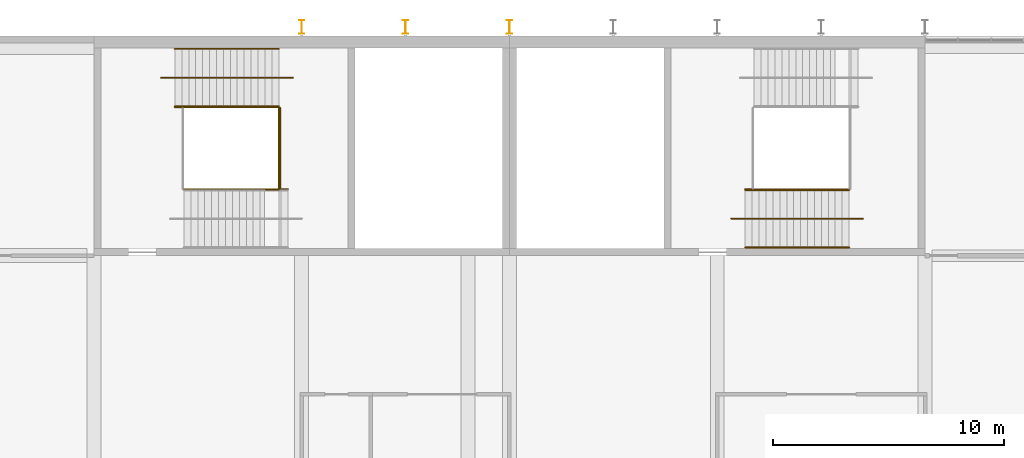
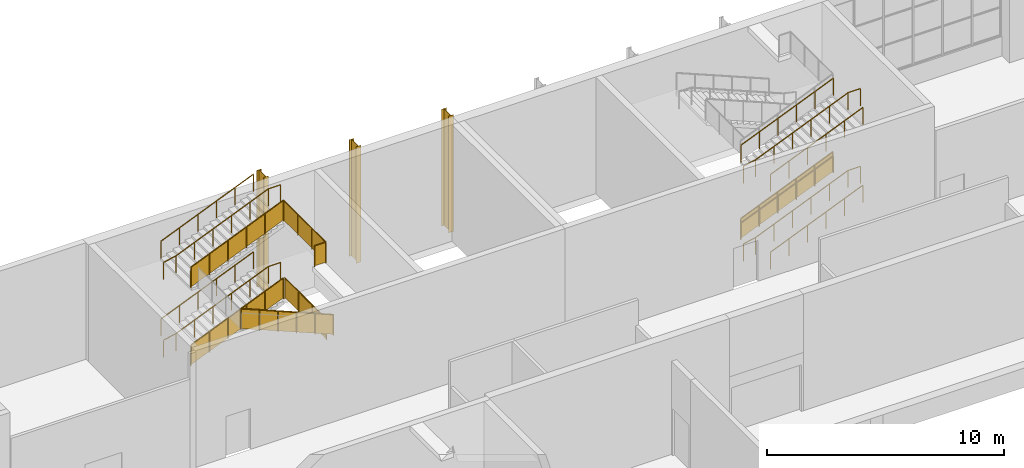
# One storey, part 85 of 89: 18 railings, 3 shading devices.
"""IFC4 building model written with IfcOpenShell, lengths in metres."""

from ifc_helpers import new_model, si_unit, direction, frame, origin, origin_2d, place, context, subcontext, project, spatial, polyline, circle, i_section, outline, extrude, material, material_profile, profile_set, type_object, element, save


model = new_model("IFC4")

# Units and contexts
model_context = context("Model", 3, precision=1e-05, world=origin(), true_north=direction((0.0, 1.0)))
body_context = subcontext(model_context, "Body", "Model", "MODEL_VIEW")
ifc_project = project(units=[si_unit("LENGTHUNIT", "METRE"), si_unit("AREAUNIT", "SQUARE_METRE"), si_unit("VOLUMEUNIT", "CUBIC_METRE"), si_unit("PLANEANGLEUNIT", "RADIAN"), si_unit("MASSUNIT", "GRAM", prefix="KILO")], contexts=[model_context])

# Site, building, storey
site_placement = place(None, origin())
site = spatial("IfcSite", under=ifc_project, at=site_placement, CompositionType="ELEMENT")
building_placement = place(site_placement, origin())
building = spatial("IfcBuilding", under=site, at=building_placement, Name="Silverbay Arena", CompositionType="ELEMENT")
storey_placement = place(building_placement, frame((0.0, 0.0, 22.0)))
storey = spatial("IfcBuildingStorey", under=building, at=storey_placement, Name="L03", CompositionType="ELEMENT", Elevation=22.0)

# Railings
ifc_material_1 = material(Name="Stainless steel", Category="steel")
railing_type_1 = type_object("IfcRailingType", Name="Stair guard 1100", PredefinedType="GUARDRAIL", material=ifc_material_1)
railing_1_placement = place(storey_placement, frame((84.510009765625, 141.425048828125, 0.125)))
element("IfcRailing", 1, at=railing_1_placement, inside=storey, type_object=railing_type_1, Name="Stair ST-N1 L03 to L04 flight 1 guard left", PredefinedType="GUARDRAIL", context=body_context, shape_type="SweptSolid", body=[
    extrude(circle(Radius=0.02392578125, at=origin_2d()), frame((0.0, 0.0, 1.076171875), z_axis=(0.923076923077, 0.0, 0.384615384615), x_axis=(0.0, 1.0, 0.0)), (0.0, 0.0, 1.0), 4.875),
    extrude(outline(polyline([(-0.008056640625, 0.046630859375), (0.907958984375, 0.42822265625), (0.907958984375, 1.431396484375), (-0.008056640625, 1.049560546875), (-0.008056640625, 0.046630859375)])), frame((0.0, 0.0029296875, 0.0), z_axis=(0.0, -1.0, 0.0), x_axis=(1.0, 0.0, 0.0)), (0.0, 0.0, 1.0), 0.006103515625),
    extrude(outline(polyline([(-0.008056640625, 0.421630859375), (0.907958984375, 0.80322265625), (0.907958984375, 1.806396484375), (-0.008056640625, 1.424560546875), (-0.008056640625, 0.421630859375)])), frame((0.89990234375, 0.0029296875, 0.0), z_axis=(0.0, -1.0, 0.0), x_axis=(1.0, 0.0, 0.0)), (0.0, 0.0, 1.0), 0.006103515625),
    extrude(outline(polyline([(-0.008056640625, 0.796630859375), (0.907958984375, 1.17822265625), (0.907958984375, 2.181396484375), (-0.008056640625, 1.799560546875), (-0.008056640625, 0.796630859375)])), frame((1.800048828125, 0.0029296875, 0.0), z_axis=(0.0, -1.0, 0.0), x_axis=(1.0, 0.0, 0.0)), (0.0, 0.0, 1.0), 0.006103515625),
    extrude(outline(polyline([(-0.008056640625, 1.171630859375), (0.907958984375, 1.55322265625), (0.907958984375, 2.556396484375), (-0.008056640625, 2.174560546875), (-0.008056640625, 1.171630859375)])), frame((2.699951171875, 0.0029296875, 0.0), z_axis=(0.0, -1.0, 0.0), x_axis=(1.0, 0.0, 0.0)), (0.0, 0.0, 1.0), 0.006103515625),
    extrude(outline(polyline([(-0.008056640625, 1.546630859375), (0.907958984375, 1.92822265625), (0.907958984375, 2.931396484375), (-0.008056640625, 2.549560546875), (-0.008056640625, 1.546630859375)])), frame((3.60009765625, 0.0029296875, 0.0), z_axis=(0.0, -1.0, 0.0), x_axis=(1.0, 0.0, 0.0)), (0.0, 0.0, 1.0), 0.006103515625),
    extrude(circle(Radius=0.02099609375, at=origin_2d()), origin(), (0.0, 0.0, 1.0), 1.052001953125),
    extrude(circle(Radius=0.02099609375, at=origin_2d()), frame((0.89990234375, 0.0, 0.375)), (0.0, 0.0, 1.0), 1.052001953125),
    extrude(circle(Radius=0.02099609375, at=origin_2d()), frame((1.800048828125, 0.0, 0.75)), (0.0, 0.0, 1.0), 1.052001953125),
    extrude(circle(Radius=0.02099609375, at=origin_2d()), frame((2.699951171875, 0.0, 1.125)), (0.0, 0.0, 1.0), 1.052001953125),
    extrude(circle(Radius=0.02099609375, at=origin_2d()), frame((3.60009765625, 0.0, 1.5)), (0.0, 0.0, 1.0), 1.052001953125),
    extrude(circle(Radius=0.02099609375, at=origin_2d()), frame((4.5, 0.0, 1.875)), (0.0, 0.0, 1.0), 1.052001953125),
])
railing_2_placement = place(storey_placement, frame((89.39990234375, 137.875, 2.125)))
element("IfcRailing", 2, at=railing_2_placement, inside=storey, type_object=railing_type_1, Name="Stair ST-N1 L03 to L04 flight 2 guard right", PredefinedType="GUARDRAIL", context=body_context, shape_type="SweptSolid", body=[
    extrude(circle(Radius=0.02392578125, at=origin_2d()), frame((0.0, 0.0, 1.076171875), z_axis=(-0.923076923077, 0.0, 0.384615384615), x_axis=(0.0, -1.0, 0.0)), (0.0, 0.0, 1.0), 4.875),
    extrude(outline(polyline([(-0.008056640625, 0.046630859375), (0.907958984375, 0.42822265625), (0.907958984375, 1.431396484375), (-0.008056640625, 1.049560546875), (-0.008056640625, 0.046630859375)])), frame((0.0, -0.0029296875, 0.0), z_axis=(0.0, 1.0, 0.0), x_axis=(-1.0, 0.0, 0.0)), (0.0, 0.0, 1.0), 0.006103515625),
    extrude(outline(polyline([(-0.008056640625, 0.421630859375), (0.907958984375, 0.80322265625), (0.907958984375, 1.806396484375), (-0.008056640625, 1.424560546875), (-0.008056640625, 0.421630859375)])), frame((-0.89990234375, -0.0029296875, 0.0), z_axis=(0.0, 1.0, 0.0), x_axis=(-1.0, 0.0, 0.0)), (0.0, 0.0, 1.0), 0.006103515625),
    extrude(outline(polyline([(-0.008056640625, 0.796630859375), (0.907958984375, 1.17822265625), (0.907958984375, 2.181396484375), (-0.008056640625, 1.799560546875), (-0.008056640625, 0.796630859375)])), frame((-1.800048828125, -0.0029296875, 0.0), z_axis=(0.0, 1.0, 0.0), x_axis=(-1.0, 0.0, 0.0)), (0.0, 0.0, 1.0), 0.006103515625),
    extrude(outline(polyline([(-0.008056640625, 1.171630859375), (0.907958984375, 1.55322265625), (0.907958984375, 2.556396484375), (-0.008056640625, 2.174560546875), (-0.008056640625, 1.171630859375)])), frame((-2.699951171875, -0.0029296875, 0.0), z_axis=(0.0, 1.0, 0.0), x_axis=(-1.0, 0.0, 0.0)), (0.0, 0.0, 1.0), 0.006103515625),
    extrude(outline(polyline([(-0.008056640625, 1.546630859375), (0.907958984375, 1.92822265625), (0.907958984375, 2.931396484375), (-0.008056640625, 2.549560546875), (-0.008056640625, 1.546630859375)])), frame((-3.60009765625, -0.0029296875, 0.0), z_axis=(0.0, 1.0, 0.0), x_axis=(-1.0, 0.0, 0.0)), (0.0, 0.0, 1.0), 0.006103515625),
    extrude(circle(Radius=0.02099609375, at=origin_2d()), origin(), (0.0, 0.0, 1.0), 1.052001953125),
    extrude(circle(Radius=0.02099609375, at=origin_2d()), frame((-0.89990234375, 0.0, 0.375)), (0.0, 0.0, 1.0), 1.052001953125),
    extrude(circle(Radius=0.02099609375, at=origin_2d()), frame((-1.800048828125, 0.0, 0.75)), (0.0, 0.0, 1.0), 1.052001953125),
    extrude(circle(Radius=0.02099609375, at=origin_2d()), frame((-2.699951171875, 0.0, 1.125)), (0.0, 0.0, 1.0), 1.052001953125),
    extrude(circle(Radius=0.02099609375, at=origin_2d()), frame((-3.60009765625, 0.0, 1.5)), (0.0, 0.0, 1.0), 1.052001953125),
    extrude(circle(Radius=0.02099609375, at=origin_2d()), frame((-4.5, 0.0, 1.875)), (0.0, 0.0, 1.0), 1.052001953125),
])
railing_3_placement = place(storey_placement, frame((84.510009765625, 141.425048828125, 4.125)))
element("IfcRailing", 3, at=railing_3_placement, inside=storey, type_object=railing_type_1, Name="Stair ST-N1 L03 to L04 flight 3 guard left", PredefinedType="GUARDRAIL", context=body_context, shape_type="SweptSolid", body=[
    extrude(circle(Radius=0.02392578125, at=origin_2d()), frame((0.0, 0.0, 1.076171875), z_axis=(0.923076923077, 0.0, 0.384615384615), x_axis=(0.0, 1.0, 0.0)), (0.0, 0.0, 1.0), 4.875),
    extrude(outline(polyline([(-0.008056640625, 0.046630859375), (0.907958984375, 0.42822265625), (0.907958984375, 1.431396484375), (-0.008056640625, 1.049560546875), (-0.008056640625, 0.046630859375)])), frame((0.0, 0.0029296875, 0.0), z_axis=(0.0, -1.0, 0.0), x_axis=(1.0, 0.0, 0.0)), (0.0, 0.0, 1.0), 0.006103515625),
    extrude(outline(polyline([(-0.008056640625, 0.421630859375), (0.907958984375, 0.80322265625), (0.907958984375, 1.806396484375), (-0.008056640625, 1.424560546875), (-0.008056640625, 0.421630859375)])), frame((0.89990234375, 0.0029296875, 0.0), z_axis=(0.0, -1.0, 0.0), x_axis=(1.0, 0.0, 0.0)), (0.0, 0.0, 1.0), 0.006103515625),
    extrude(outline(polyline([(-0.008056640625, 0.796630859375), (0.907958984375, 1.17822265625), (0.907958984375, 2.181396484375), (-0.008056640625, 1.799560546875), (-0.008056640625, 0.796630859375)])), frame((1.800048828125, 0.0029296875, 0.0), z_axis=(0.0, -1.0, 0.0), x_axis=(1.0, 0.0, 0.0)), (0.0, 0.0, 1.0), 0.006103515625),
    extrude(outline(polyline([(-0.008056640625, 1.171630859375), (0.907958984375, 1.55322265625), (0.907958984375, 2.556396484375), (-0.008056640625, 2.174560546875), (-0.008056640625, 1.171630859375)])), frame((2.699951171875, 0.0029296875, 0.0), z_axis=(0.0, -1.0, 0.0), x_axis=(1.0, 0.0, 0.0)), (0.0, 0.0, 1.0), 0.006103515625),
    extrude(outline(polyline([(-0.008056640625, 1.546630859375), (0.907958984375, 1.92822265625), (0.907958984375, 2.931396484375), (-0.008056640625, 2.549560546875), (-0.008056640625, 1.546630859375)])), frame((3.60009765625, 0.0029296875, 0.0), z_axis=(0.0, -1.0, 0.0), x_axis=(1.0, 0.0, 0.0)), (0.0, 0.0, 1.0), 0.006103515625),
    extrude(circle(Radius=0.02099609375, at=origin_2d()), origin(), (0.0, 0.0, 1.0), 1.052001953125),
    extrude(circle(Radius=0.02099609375, at=origin_2d()), frame((0.89990234375, 0.0, 0.375)), (0.0, 0.0, 1.0), 1.052001953125),
    extrude(circle(Radius=0.02099609375, at=origin_2d()), frame((1.800048828125, 0.0, 0.75)), (0.0, 0.0, 1.0), 1.052001953125),
    extrude(circle(Radius=0.02099609375, at=origin_2d()), frame((2.699951171875, 0.0, 1.125)), (0.0, 0.0, 1.0), 1.052001953125),
    extrude(circle(Radius=0.02099609375, at=origin_2d()), frame((3.60009765625, 0.0, 1.5)), (0.0, 0.0, 1.0), 1.052001953125),
    extrude(circle(Radius=0.02099609375, at=origin_2d()), frame((4.5, 0.0, 1.875)), (0.0, 0.0, 1.0), 1.052001953125),
])
railing_4_placement = place(storey_placement, frame((89.06005859375, 137.89990234375, 2.0)))
element("IfcRailing", 4, at=railing_4_placement, inside=storey, type_object=railing_type_1, Name="Stair ST-N1 L03 to L04 landing 1 guard", PredefinedType="GUARDRAIL", context=body_context, shape_type="SweptSolid", body=[
    extrude(circle(Radius=0.02392578125, at=origin_2d()), frame((0.0, 0.0, 1.076171875), z_axis=(0.0, 1.0, 0.0), x_axis=(-1.0, 0.0, 0.0)), (0.0, 0.0, 1.0), 3.5),
    extrude(outline(polyline([(-0.008056640625, 0.050048828125), (1.174560546875, 0.050048828125), (1.174560546875, 1.052978515625), (-0.008056640625, 1.052978515625), (-0.008056640625, 0.050048828125)])), frame((-0.0029296875, 0.0, 0.0), z_axis=(1.0, 0.0, 0.0), x_axis=(0.0, 1.0, 0.0)), (0.0, 0.0, 1.0), 0.006103515625),
    extrude(outline(polyline([(-0.008056640625, 0.050048828125), (1.174560546875, 0.050048828125), (1.174560546875, 1.052978515625), (-0.008056640625, 1.052978515625), (-0.008056640625, 0.050048828125)])), frame((-0.0029296875, 1.166748046875, 0.0), z_axis=(1.0, 0.0, 0.0), x_axis=(0.0, 1.0, 0.0)), (0.0, 0.0, 1.0), 0.006103515625),
    extrude(outline(polyline([(-0.008056640625, 0.050048828125), (1.174560546875, 0.050048828125), (1.174560546875, 1.052978515625), (-0.008056640625, 1.052978515625), (-0.008056640625, 0.050048828125)])), frame((-0.0029296875, 2.333251953125, 0.0), z_axis=(1.0, 0.0, 0.0), x_axis=(0.0, 1.0, 0.0)), (0.0, 0.0, 1.0), 0.006103515625),
    extrude(circle(Radius=0.02099609375, at=origin_2d()), origin(), (0.0, 0.0, 1.0), 1.052001953125),
    extrude(circle(Radius=0.02099609375, at=origin_2d()), frame((0.0, 1.166748046875, 0.0)), (0.0, 0.0, 1.0), 1.052001953125),
    extrude(circle(Radius=0.02099609375, at=origin_2d()), frame((0.0, 2.333251953125, 0.0)), (0.0, 0.0, 1.0), 1.052001953125),
    extrude(circle(Radius=0.02099609375, at=origin_2d()), frame((0.0, 3.5, 0.0)), (0.0, 0.0, 1.0), 1.052001953125),
])
railing_5_placement = place(storey_placement, frame((88.449951171875, 137.85009765625, 6.0)))
element("IfcRailing", 5, at=railing_5_placement, inside=storey, type_object=railing_type_1, Name="Stair ST-N1 L03 to L04 landing 3 guard", PredefinedType="GUARDRAIL", context=body_context, shape_type="SweptSolid", body=[
    extrude(circle(Radius=0.02392578125, at=origin_2d()), frame((0.0, 0.0, 1.076171875), z_axis=(1.0, 0.0, 0.0), x_axis=(0.0, 1.0, 0.0)), (0.0, 0.0, 1.0), 0.56005859375),
    extrude(outline(polyline([(-0.008056640625, 0.050048828125), (0.568115234375, 0.050048828125), (0.568115234375, 1.052978515625), (-0.008056640625, 1.052978515625), (-0.008056640625, 0.050048828125)])), frame((0.0, 0.0029296875, 0.0), z_axis=(0.0, -1.0, 0.0), x_axis=(1.0, 0.0, 0.0)), (0.0, 0.0, 1.0), 0.006103515625),
    extrude(circle(Radius=0.02392578125, at=origin_2d()), frame((0.56005859375, 0.0, 1.076171875), z_axis=(0.0, 1.0, 0.0), x_axis=(-1.0, 0.0, 0.0)), (0.0, 0.0, 1.0), 3.5498046875),
    extrude(outline(polyline([(-0.008056640625, 0.050048828125), (1.191162109375, 0.050048828125), (1.191162109375, 1.052978515625), (-0.008056640625, 1.052978515625), (-0.008056640625, 0.050048828125)])), frame((0.55712890625, 0.0, 0.0), z_axis=(1.0, 0.0, 0.0), x_axis=(0.0, 1.0, 0.0)), (0.0, 0.0, 1.0), 0.006103515625),
    extrude(outline(polyline([(-0.008056640625, 0.050048828125), (1.191162109375, 0.050048828125), (1.191162109375, 1.052978515625), (-0.008056640625, 1.052978515625), (-0.008056640625, 0.050048828125)])), frame((0.55712890625, 1.183349609375, 0.0), z_axis=(1.0, 0.0, 0.0), x_axis=(0.0, 1.0, 0.0)), (0.0, 0.0, 1.0), 0.006103515625),
    extrude(outline(polyline([(-0.008056640625, 0.050048828125), (1.191162109375, 0.050048828125), (1.191162109375, 1.052978515625), (-0.008056640625, 1.052978515625), (-0.008056640625, 0.050048828125)])), frame((0.55712890625, 2.366455078125, 0.0), z_axis=(1.0, 0.0, 0.0), x_axis=(0.0, 1.0, 0.0)), (0.0, 0.0, 1.0), 0.006103515625),
    extrude(circle(Radius=0.02099609375, at=origin_2d()), origin(), (0.0, 0.0, 1.0), 1.052001953125),
    extrude(circle(Radius=0.02099609375, at=origin_2d()), frame((0.56005859375, 0.0, 0.0)), (0.0, 0.0, 1.0), 1.052001953125),
    extrude(circle(Radius=0.02099609375, at=origin_2d()), frame((0.56005859375, 1.183349609375, 0.0)), (0.0, 0.0, 1.0), 1.052001953125),
    extrude(circle(Radius=0.02099609375, at=origin_2d()), frame((0.56005859375, 2.366455078125, 0.0)), (0.0, 0.0, 1.0), 1.052001953125),
    extrude(circle(Radius=0.02099609375, at=origin_2d()), frame((0.56005859375, 3.5498046875, 0.0)), (0.0, 0.0, 1.0), 1.052001953125),
])
railing_6_placement = place(storey_placement, frame((109.2099609375, 137.875, 0.125)))
element("IfcRailing", 6, at=railing_6_placement, inside=storey, type_object=railing_type_1, Name="Stair ST-N2 L03 to L04 flight 1 guard right", PredefinedType="GUARDRAIL", context=body_context, shape_type="SweptSolid", body=[
    extrude(circle(Radius=0.02392578125, at=origin_2d()), frame((0.0, 0.0, 1.076171875), z_axis=(0.923076923077, 0.0, 0.384615384615), x_axis=(0.0, 1.0, 0.0)), (0.0, 0.0, 1.0), 4.875),
    extrude(outline(polyline([(-0.008056640625, 0.046630859375), (0.907958984375, 0.42822265625), (0.907958984375, 1.431396484375), (-0.008056640625, 1.049560546875), (-0.008056640625, 0.046630859375)])), frame((0.0, 0.0029296875, 0.0), z_axis=(0.0, -1.0, 0.0), x_axis=(1.0, 0.0, 0.0)), (0.0, 0.0, 1.0), 0.006103515625),
    extrude(outline(polyline([(-0.008056640625, 0.421630859375), (0.907958984375, 0.80322265625), (0.907958984375, 1.806396484375), (-0.008056640625, 1.424560546875), (-0.008056640625, 0.421630859375)])), frame((0.89990234375, 0.0029296875, 0.0), z_axis=(0.0, -1.0, 0.0), x_axis=(1.0, 0.0, 0.0)), (0.0, 0.0, 1.0), 0.006103515625),
    extrude(outline(polyline([(-0.008056640625, 0.796630859375), (0.907958984375, 1.17822265625), (0.907958984375, 2.181396484375), (-0.008056640625, 1.799560546875), (-0.008056640625, 0.796630859375)])), frame((1.800048828125, 0.0029296875, 0.0), z_axis=(0.0, -1.0, 0.0), x_axis=(1.0, 0.0, 0.0)), (0.0, 0.0, 1.0), 0.006103515625),
    extrude(outline(polyline([(-0.008056640625, 1.171630859375), (0.907958984375, 1.55322265625), (0.907958984375, 2.556396484375), (-0.008056640625, 2.174560546875), (-0.008056640625, 1.171630859375)])), frame((2.699951171875, 0.0029296875, 0.0), z_axis=(0.0, -1.0, 0.0), x_axis=(1.0, 0.0, 0.0)), (0.0, 0.0, 1.0), 0.006103515625),
    extrude(outline(polyline([(-0.008056640625, 1.546630859375), (0.907958984375, 1.92822265625), (0.907958984375, 2.931396484375), (-0.008056640625, 2.549560546875), (-0.008056640625, 1.546630859375)])), frame((3.60009765625, 0.0029296875, 0.0), z_axis=(0.0, -1.0, 0.0), x_axis=(1.0, 0.0, 0.0)), (0.0, 0.0, 1.0), 0.006103515625),
    extrude(circle(Radius=0.02099609375, at=origin_2d()), origin(), (0.0, 0.0, 1.0), 1.052001953125),
    extrude(circle(Radius=0.02099609375, at=origin_2d()), frame((0.89990234375, 0.0, 0.375)), (0.0, 0.0, 1.0), 1.052001953125),
    extrude(circle(Radius=0.02099609375, at=origin_2d()), frame((1.800048828125, 0.0, 0.75)), (0.0, 0.0, 1.0), 1.052001953125),
    extrude(circle(Radius=0.02099609375, at=origin_2d()), frame((2.699951171875, 0.0, 1.125)), (0.0, 0.0, 1.0), 1.052001953125),
    extrude(circle(Radius=0.02099609375, at=origin_2d()), frame((3.60009765625, 0.0, 1.5)), (0.0, 0.0, 1.0), 1.052001953125),
    extrude(circle(Radius=0.02099609375, at=origin_2d()), frame((4.5, 0.0, 1.875)), (0.0, 0.0, 1.0), 1.052001953125),
])
ifc_material_2 = material(Name="Stainless steel", Category="steel")
railing_type_2 = type_object("IfcRailingType", Name="Stair handrail 900", PredefinedType="HANDRAIL", material=ifc_material_2)
for number, where, name in (
    (7, (84.510009765625, 141.464111328125, 0.125), "Stair ST-N1 L03 to L04 flight 1 handrail left"),
    (8, (84.510009765625, 143.949951171875, 0.125), "Stair ST-N1 L03 to L04 flight 1 handrail right"),
):
    element("IfcRailing", number, at=place(storey_placement, frame(where)), inside=storey, type_object=railing_type_2, Name=name, PredefinedType="HANDRAIL", context=body_context, shape_type="SweptSolid", body=[
        extrude(circle(Radius=0.02392578125, at=origin_2d()), frame((0.0, 0.0, 0.8759765625), z_axis=(0.923076923077, 0.0, 0.384615384615), x_axis=(0.0, 1.0, 0.0)), (0.0, 0.0, 1.0), 4.875),
        extrude(circle(Radius=0.02099609375, at=origin_2d()), origin(), (0.0, 0.0, 1.0), 0.851806640625),
        extrude(circle(Radius=0.02099609375, at=origin_2d()), frame((0.89990234375, 0.0, 0.375)), (0.0, 0.0, 1.0), 0.851806640625),
        extrude(circle(Radius=0.02099609375, at=origin_2d()), frame((1.800048828125, 0.0, 0.75)), (0.0, 0.0, 1.0), 0.851806640625),
        extrude(circle(Radius=0.02099609375, at=origin_2d()), frame((2.699951171875, 0.0, 1.125)), (0.0, 0.0, 1.0), 0.851806640625),
        extrude(circle(Radius=0.02099609375, at=origin_2d()), frame((3.60009765625, 0.0, 1.5)), (0.0, 0.0, 1.0), 0.851806640625),
        extrude(circle(Radius=0.02099609375, at=origin_2d()), frame((4.5, 0.0, 1.875)), (0.0, 0.0, 1.0), 0.851806640625),
    ])
railing_7_placement = place(storey_placement, frame((83.909912109375, 142.699951171875, 0.0)))
element("IfcRailing", 9, at=railing_7_placement, inside=storey, type_object=railing_type_2, Name="Stair ST-N1 L03 to L04 flight 1 central handrail", PredefinedType="HANDRAIL", context=body_context, shape_type="SweptSolid", body=[
    extrude(circle(Radius=0.02392578125, at=origin_2d()), frame((0.0, 0.0, 0.8759765625), z_axis=(0.978987046276, 0.0, 0.203922444139), x_axis=(0.0, 1.0, 0.0)), (0.0, 0.0, 1.0), 0.613037109375),
    extrude(circle(Radius=0.02392578125, at=origin_2d()), frame((0.60009765625, 0.0, 1.0009765625), z_axis=(0.923076923077, 0.0, 0.384615384615), x_axis=(0.0, 1.0, 0.0)), (0.0, 0.0, 1.0), 4.875),
    extrude(circle(Radius=0.02392578125, at=origin_2d()), frame((5.10009765625, 0.0, 2.8759765625), z_axis=(1.0, 0.0, 0.0), x_axis=(0.0, 1.0, 0.0)), (0.0, 0.0, 1.0), 0.60009765625),
    extrude(circle(Radius=0.02099609375, at=origin_2d()), origin(), (0.0, 0.0, 1.0), 0.851806640625),
    extrude(circle(Radius=0.02099609375, at=origin_2d()), frame((0.60009765625, 0.0, 0.125)), (0.0, 0.0, 1.0), 0.851806640625),
    extrude(circle(Radius=0.02099609375, at=origin_2d()), frame((1.5, 0.0, 0.5)), (0.0, 0.0, 1.0), 0.851806640625),
    extrude(circle(Radius=0.02099609375, at=origin_2d()), frame((2.400146484375, 0.0, 0.875)), (0.0, 0.0, 1.0), 0.851806640625),
    extrude(circle(Radius=0.02099609375, at=origin_2d()), frame((3.300048828125, 0.0, 1.25)), (0.0, 0.0, 1.0), 0.851806640625),
    extrude(circle(Radius=0.02099609375, at=origin_2d()), frame((4.2001953125, 0.0, 1.625)), (0.0, 0.0, 1.0), 0.851806640625),
    extrude(circle(Radius=0.02099609375, at=origin_2d()), frame((5.10009765625, 0.0, 2.0)), (0.0, 0.0, 1.0), 0.851806640625),
    extrude(circle(Radius=0.02099609375, at=origin_2d()), frame((5.7001953125, 0.0, 2.0)), (0.0, 0.0, 1.0), 0.851806640625),
])
for number, where, name in (
    (10, (84.510009765625, 141.464111328125, 4.125), "Stair ST-N1 L03 to L04 flight 3 handrail left"),
    (11, (84.510009765625, 143.949951171875, 4.125), "Stair ST-N1 L03 to L04 flight 3 handrail right"),
):
    element("IfcRailing", number, at=place(storey_placement, frame(where)), inside=storey, type_object=railing_type_2, Name=name, PredefinedType="HANDRAIL", context=body_context, shape_type="SweptSolid", body=[
        extrude(circle(Radius=0.02392578125, at=origin_2d()), frame((0.0, 0.0, 0.8759765625), z_axis=(0.923076923077, 0.0, 0.384615384615), x_axis=(0.0, 1.0, 0.0)), (0.0, 0.0, 1.0), 4.875),
        extrude(circle(Radius=0.02099609375, at=origin_2d()), origin(), (0.0, 0.0, 1.0), 0.851806640625),
        extrude(circle(Radius=0.02099609375, at=origin_2d()), frame((0.89990234375, 0.0, 0.375)), (0.0, 0.0, 1.0), 0.851806640625),
        extrude(circle(Radius=0.02099609375, at=origin_2d()), frame((1.800048828125, 0.0, 0.75)), (0.0, 0.0, 1.0), 0.851806640625),
        extrude(circle(Radius=0.02099609375, at=origin_2d()), frame((2.699951171875, 0.0, 1.125)), (0.0, 0.0, 1.0), 0.851806640625),
        extrude(circle(Radius=0.02099609375, at=origin_2d()), frame((3.60009765625, 0.0, 1.5)), (0.0, 0.0, 1.0), 0.851806640625),
        extrude(circle(Radius=0.02099609375, at=origin_2d()), frame((4.5, 0.0, 1.875)), (0.0, 0.0, 1.0), 0.851806640625),
    ])
railing_8_placement = place(storey_placement, frame((83.909912109375, 142.699951171875, 4.0)))
element("IfcRailing", 12, at=railing_8_placement, inside=storey, type_object=railing_type_2, Name="Stair ST-N1 L03 to L04 flight 3 central handrail", PredefinedType="HANDRAIL", context=body_context, shape_type="SweptSolid", body=[
    extrude(circle(Radius=0.02392578125, at=origin_2d()), frame((0.0, 0.0, 0.8759765625), z_axis=(0.978987046276, 0.0, 0.203922444139), x_axis=(0.0, 1.0, 0.0)), (0.0, 0.0, 1.0), 0.613037109375),
    extrude(circle(Radius=0.02392578125, at=origin_2d()), frame((0.60009765625, 0.0, 1.0009765625), z_axis=(0.923076923077, 0.0, 0.384615384615), x_axis=(0.0, 1.0, 0.0)), (0.0, 0.0, 1.0), 4.875),
    extrude(circle(Radius=0.02392578125, at=origin_2d()), frame((5.10009765625, 0.0, 2.8759765625), z_axis=(1.0, 0.0, 0.0), x_axis=(0.0, 1.0, 0.0)), (0.0, 0.0, 1.0), 0.60009765625),
    extrude(circle(Radius=0.02099609375, at=origin_2d()), origin(), (0.0, 0.0, 1.0), 0.851806640625),
    extrude(circle(Radius=0.02099609375, at=origin_2d()), frame((0.60009765625, 0.0, 0.125)), (0.0, 0.0, 1.0), 0.851806640625),
    extrude(circle(Radius=0.02099609375, at=origin_2d()), frame((1.5, 0.0, 0.5)), (0.0, 0.0, 1.0), 0.851806640625),
    extrude(circle(Radius=0.02099609375, at=origin_2d()), frame((2.400146484375, 0.0, 0.875)), (0.0, 0.0, 1.0), 0.851806640625),
    extrude(circle(Radius=0.02099609375, at=origin_2d()), frame((3.300048828125, 0.0, 1.25)), (0.0, 0.0, 1.0), 0.851806640625),
    extrude(circle(Radius=0.02099609375, at=origin_2d()), frame((4.2001953125, 0.0, 1.625)), (0.0, 0.0, 1.0), 0.851806640625),
    extrude(circle(Radius=0.02099609375, at=origin_2d()), frame((5.10009765625, 0.0, 2.0)), (0.0, 0.0, 1.0), 0.851806640625),
    extrude(circle(Radius=0.02099609375, at=origin_2d()), frame((5.7001953125, 0.0, 2.0)), (0.0, 0.0, 1.0), 0.851806640625),
])
for number, where, name in (
    (13, (109.2099609375, 135.35009765625, 0.125), "Stair ST-N2 L03 to L04 flight 1 handrail left"),
    (14, (109.2099609375, 137.8359375, 0.125), "Stair ST-N2 L03 to L04 flight 1 handrail right"),
):
    element("IfcRailing", number, at=place(storey_placement, frame(where)), inside=storey, type_object=railing_type_2, Name=name, PredefinedType="HANDRAIL", context=body_context, shape_type="SweptSolid", body=[
        extrude(circle(Radius=0.02392578125, at=origin_2d()), frame((0.0, 0.0, 0.8759765625), z_axis=(0.923076923077, 0.0, 0.384615384615), x_axis=(0.0, 1.0, 0.0)), (0.0, 0.0, 1.0), 4.875),
        extrude(circle(Radius=0.02099609375, at=origin_2d()), origin(), (0.0, 0.0, 1.0), 0.851806640625),
        extrude(circle(Radius=0.02099609375, at=origin_2d()), frame((0.89990234375, 0.0, 0.375)), (0.0, 0.0, 1.0), 0.851806640625),
        extrude(circle(Radius=0.02099609375, at=origin_2d()), frame((1.800048828125, 0.0, 0.75)), (0.0, 0.0, 1.0), 0.851806640625),
        extrude(circle(Radius=0.02099609375, at=origin_2d()), frame((2.699951171875, 0.0, 1.125)), (0.0, 0.0, 1.0), 0.851806640625),
        extrude(circle(Radius=0.02099609375, at=origin_2d()), frame((3.60009765625, 0.0, 1.5)), (0.0, 0.0, 1.0), 0.851806640625),
        extrude(circle(Radius=0.02099609375, at=origin_2d()), frame((4.5, 0.0, 1.875)), (0.0, 0.0, 1.0), 0.851806640625),
    ])
railing_9_placement = place(storey_placement, frame((108.610107421875, 136.60009765625, 0.0)))
element("IfcRailing", 15, at=railing_9_placement, inside=storey, type_object=railing_type_2, Name="Stair ST-N2 L03 to L04 flight 1 central handrail", PredefinedType="HANDRAIL", context=body_context, shape_type="SweptSolid", body=[
    extrude(circle(Radius=0.02392578125, at=origin_2d()), frame((0.0, 0.0, 0.8759765625), z_axis=(0.978970474113, 0.0, 0.20400198728), x_axis=(0.0, 1.0, 0.0)), (0.0, 0.0, 1.0), 0.61279296875),
    extrude(circle(Radius=0.02392578125, at=origin_2d()), frame((0.599853515625, 0.0, 1.0009765625), z_axis=(0.923076923077, 0.0, 0.384615384615), x_axis=(0.0, 1.0, 0.0)), (0.0, 0.0, 1.0), 4.875),
    extrude(circle(Radius=0.02392578125, at=origin_2d()), frame((5.099853515625, 0.0, 2.8759765625), z_axis=(1.0, 0.0, 0.0), x_axis=(0.0, 1.0, 0.0)), (0.0, 0.0, 1.0), 0.60009765625),
    extrude(circle(Radius=0.02099609375, at=origin_2d()), origin(), (0.0, 0.0, 1.0), 0.851806640625),
    extrude(circle(Radius=0.02099609375, at=origin_2d()), frame((0.599853515625, 0.0, 0.125)), (0.0, 0.0, 1.0), 0.851806640625),
    extrude(circle(Radius=0.02099609375, at=origin_2d()), frame((1.499755859375, 0.0, 0.5)), (0.0, 0.0, 1.0), 0.851806640625),
    extrude(circle(Radius=0.02099609375, at=origin_2d()), frame((2.39990234375, 0.0, 0.875)), (0.0, 0.0, 1.0), 0.851806640625),
    extrude(circle(Radius=0.02099609375, at=origin_2d()), frame((3.2998046875, 0.0, 1.25)), (0.0, 0.0, 1.0), 0.851806640625),
    extrude(circle(Radius=0.02099609375, at=origin_2d()), frame((4.199951171875, 0.0, 1.625)), (0.0, 0.0, 1.0), 0.851806640625),
    extrude(circle(Radius=0.02099609375, at=origin_2d()), frame((5.099853515625, 0.0, 2.0)), (0.0, 0.0, 1.0), 0.851806640625),
    extrude(circle(Radius=0.02099609375, at=origin_2d()), frame((5.699951171875, 0.0, 2.0)), (0.0, 0.0, 1.0), 0.851806640625),
])
for number, where, name in (
    (16, (109.2099609375, 135.35009765625, 4.125), "Stair ST-N2 L03 to L04 flight 3 handrail left"),
    (17, (109.2099609375, 137.8359375, 4.125), "Stair ST-N2 L03 to L04 flight 3 handrail right"),
):
    element("IfcRailing", number, at=place(storey_placement, frame(where)), inside=storey, type_object=railing_type_2, Name=name, PredefinedType="HANDRAIL", context=body_context, shape_type="SweptSolid", body=[
        extrude(circle(Radius=0.02392578125, at=origin_2d()), frame((0.0, 0.0, 0.8759765625), z_axis=(0.923076923077, 0.0, 0.384615384615), x_axis=(0.0, 1.0, 0.0)), (0.0, 0.0, 1.0), 4.875),
        extrude(circle(Radius=0.02099609375, at=origin_2d()), origin(), (0.0, 0.0, 1.0), 0.851806640625),
        extrude(circle(Radius=0.02099609375, at=origin_2d()), frame((0.89990234375, 0.0, 0.375)), (0.0, 0.0, 1.0), 0.851806640625),
        extrude(circle(Radius=0.02099609375, at=origin_2d()), frame((1.800048828125, 0.0, 0.75)), (0.0, 0.0, 1.0), 0.851806640625),
        extrude(circle(Radius=0.02099609375, at=origin_2d()), frame((2.699951171875, 0.0, 1.125)), (0.0, 0.0, 1.0), 0.851806640625),
        extrude(circle(Radius=0.02099609375, at=origin_2d()), frame((3.60009765625, 0.0, 1.5)), (0.0, 0.0, 1.0), 0.851806640625),
        extrude(circle(Radius=0.02099609375, at=origin_2d()), frame((4.5, 0.0, 1.875)), (0.0, 0.0, 1.0), 0.851806640625),
    ])
railing_10_placement = place(storey_placement, frame((108.610107421875, 136.60009765625, 4.0)))
element("IfcRailing", 18, at=railing_10_placement, inside=storey, type_object=railing_type_2, Name="Stair ST-N2 L03 to L04 flight 3 central handrail", PredefinedType="HANDRAIL", context=body_context, shape_type="SweptSolid", body=[
    extrude(circle(Radius=0.02392578125, at=origin_2d()), frame((0.0, 0.0, 0.8759765625), z_axis=(0.978970474113, 0.0, 0.20400198728), x_axis=(0.0, 1.0, 0.0)), (0.0, 0.0, 1.0), 0.61279296875),
    extrude(circle(Radius=0.02392578125, at=origin_2d()), frame((0.599853515625, 0.0, 1.0009765625), z_axis=(0.923076923077, 0.0, 0.384615384615), x_axis=(0.0, 1.0, 0.0)), (0.0, 0.0, 1.0), 4.875),
    extrude(circle(Radius=0.02392578125, at=origin_2d()), frame((5.099853515625, 0.0, 2.8759765625), z_axis=(1.0, 0.0, 0.0), x_axis=(0.0, 1.0, 0.0)), (0.0, 0.0, 1.0), 0.60009765625),
    extrude(circle(Radius=0.02099609375, at=origin_2d()), origin(), (0.0, 0.0, 1.0), 0.851806640625),
    extrude(circle(Radius=0.02099609375, at=origin_2d()), frame((0.599853515625, 0.0, 0.125)), (0.0, 0.0, 1.0), 0.851806640625),
    extrude(circle(Radius=0.02099609375, at=origin_2d()), frame((1.499755859375, 0.0, 0.5)), (0.0, 0.0, 1.0), 0.851806640625),
    extrude(circle(Radius=0.02099609375, at=origin_2d()), frame((2.39990234375, 0.0, 0.875)), (0.0, 0.0, 1.0), 0.851806640625),
    extrude(circle(Radius=0.02099609375, at=origin_2d()), frame((3.2998046875, 0.0, 1.25)), (0.0, 0.0, 1.0), 0.851806640625),
    extrude(circle(Radius=0.02099609375, at=origin_2d()), frame((4.199951171875, 0.0, 1.625)), (0.0, 0.0, 1.0), 0.851806640625),
    extrude(circle(Radius=0.02099609375, at=origin_2d()), frame((5.099853515625, 0.0, 2.0)), (0.0, 0.0, 1.0), 0.851806640625),
    extrude(circle(Radius=0.02099609375, at=origin_2d()), frame((5.699951171875, 0.0, 2.0)), (0.0, 0.0, 1.0), 0.851806640625),
])

# Shading devices
ifc_material_3 = material(Name="Steel S355", Category="steel")
ifc_material_profile = material_profile(ifc_material_3, i_section(OverallWidth=0.2275390625, OverallDepth=0.6025390625, WebThickness=0.010498046875, FlangeThickness=0.014892578125, at=origin_2d()), Name="UB 610x229x101")
ifc_profile_set = profile_set([ifc_material_profile], Name="Steel S355")
shading_device_type = type_object("IfcShadingDeviceType", Name="Steel fin UB 610x229x101", PredefinedType="USERDEFINED", material=ifc_profile_set)
for number, where, z_axis, x_axis, name in (
    (19, (90.0, 144.9013671875, 0.0), (0.0, 0.0, 1.0), (1.0, 0.0, 0.0), "Steel fin N L03 8"),
    (20, (94.5, 144.9013671875, 0.0), (0.0, 0.0, 1.0), (1.0, 0.0, 0.0), "Steel fin N L03 9"),
    (21, (99.0, 144.9013671875, 0.0), (0.0, 0.0, 1.0), (1.0, 0.0, 0.0), "Steel fin N L03 10"),
):
    element("IfcShadingDevice", number, at=place(storey_placement, frame(where, z_axis=z_axis, x_axis=x_axis)), inside=storey, type_object=shading_device_type, Name=name, ObjectType="FIN", PredefinedType="USERDEFINED", context=body_context, shape_type="SweptSolid", body=[
        extrude(i_section(OverallWidth=0.2275390625, OverallDepth=0.6025390625, WebThickness=0.010498046875, FlangeThickness=0.014892578125, at=origin_2d()), origin(), (0.0, 0.0, 1.0), 6.0),
    ])

save(model, "model.ifc")
